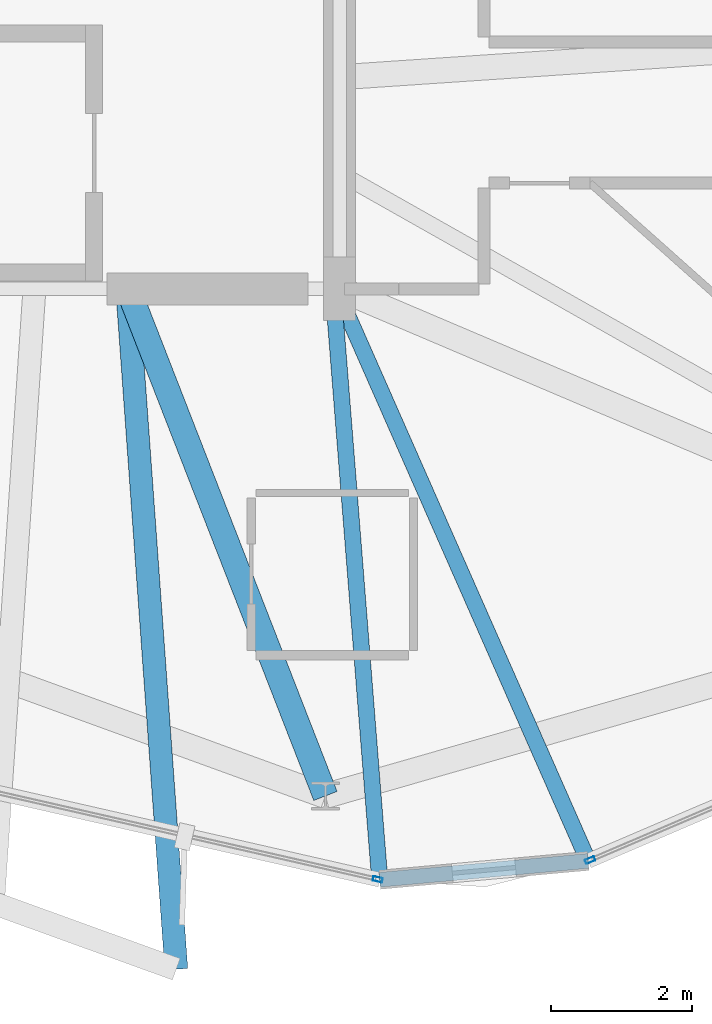
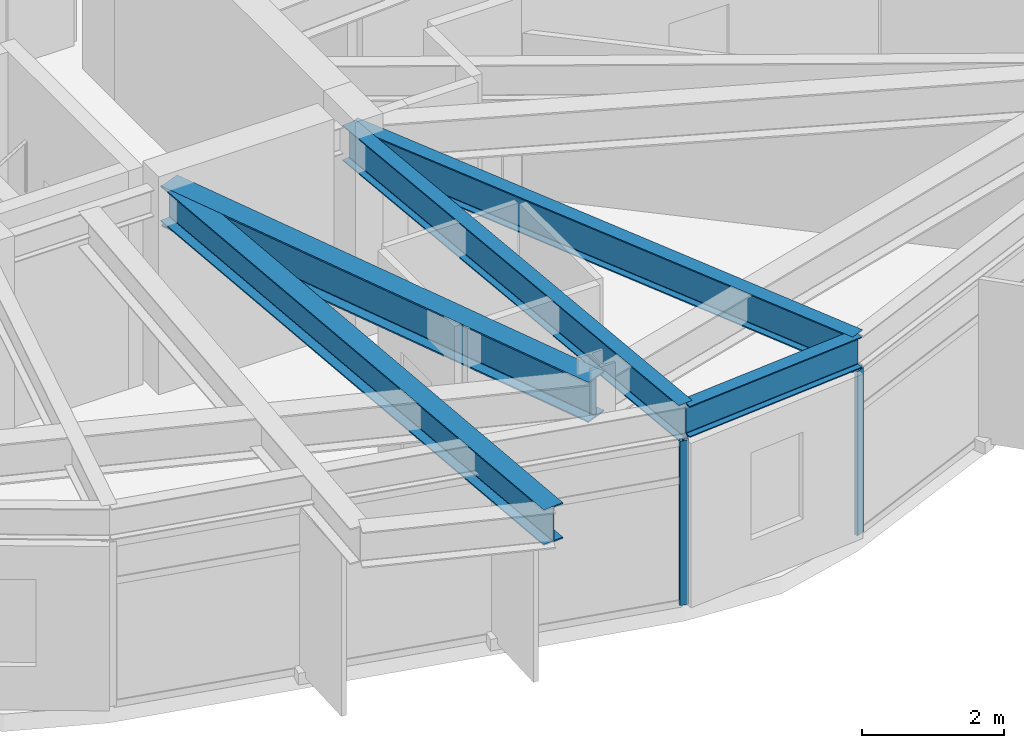
# One storey, part 5 of 23: 5 beams, 2 members, 2 elements without a shape of their own.
"""IFC4 building model written with IfcOpenShell, lengths in metres."""

from ifc_helpers import new_model, si_unit, direction, frame, origin, origin_2d, place, context, subcontext, project, spatial, hollow_rectangle, i_section, extrude, material, layer, layer_set, material_profile, profile_set, type_object, element, aggregate, save


model = new_model("IFC4")

# Units and contexts
model_context = context("Model", 3, precision=1e-05, world=origin(), true_north=direction((0.0, 1.0)))
body_context = subcontext(model_context, "Body", "Model", "MODEL_VIEW")
ifc_project = project(units=[si_unit("LENGTHUNIT", "METRE"), si_unit("AREAUNIT", "SQUARE_METRE"), si_unit("VOLUMEUNIT", "CUBIC_METRE"), si_unit("PLANEANGLEUNIT", "RADIAN"), si_unit("MASSUNIT", "GRAM", prefix="KILO")], contexts=[model_context])

# Site, building, storey
site_placement = place(None, origin())
site = spatial("IfcSite", under=ifc_project, at=site_placement, CompositionType="ELEMENT")
building_placement = place(site_placement, origin())
building = spatial("IfcBuilding", under=site, at=building_placement, Name="Soratama Intermodal Tower", CompositionType="ELEMENT")
storey_placement = place(building_placement, frame((0.0, 0.0, 250.0)))
storey = spatial("IfcBuildingStorey", under=building, at=storey_placement, Name="L63", CompositionType="ELEMENT", Elevation=250.0)

# Beams
ifc_material_1 = material(Name="Structural steel ASTM A992 Grade 50", Category="steel")
ifc_material_profile_1 = material_profile(ifc_material_1, i_section(OverallWidth=0.324951171875, OverallDepth=0.615966796875, WebThickness=0.013916015625, FlangeThickness=0.021484375, FilletRadius=0.013916015625, at=origin_2d()), Name="W24X117")
ifc_profile_set_1 = profile_set([ifc_material_profile_1], Name="Structural steel ASTM A992 Grade 50")
beam_type_1 = type_object("IfcBeamType", Name="BM-CANT-W24X117", PredefinedType="BEAM", material=ifc_profile_set_1)
beam_1_placement = place(storey_placement, frame((41.592041015625, 14.9599609375, 3.14208984375), z_axis=(0.072050571539, -0.997400980118, 0.0), x_axis=(0.997400980118, 0.072050571539, 0.0)))
element("IfcBeam", 1, at=beam_1_placement, inside=storey, type_object=beam_type_1, Name="BM-L63-CANT-3-2", PredefinedType="BEAM", context=body_context, shape_type="SweptSolid", body=[
    extrude(i_section(OverallWidth=0.324951171875, OverallDepth=0.615966796875, WebThickness=0.013916015625, FlangeThickness=0.021484375, FilletRadius=0.013916015625, at=origin_2d()), origin(), (0.0, 0.0, 1.0), 9.630126953125),
])
ifc_material_2 = material(Name="Structural steel ASTM A992 Grade 50", Category="steel")
ifc_material_profile_2 = material_profile(ifc_material_2, i_section(OverallWidth=0.35498046875, OverallDepth=0.695068359375, WebThickness=0.015380859375, FlangeThickness=0.02490234375, FilletRadius=0.01611328125, at=origin_2d()), Name="W27X146")
ifc_profile_set_2 = profile_set([ifc_material_profile_2], Name="Structural steel ASTM A992 Grade 50")
beam_type_2 = type_object("IfcBeamType", Name="BM-RING-W27X146", PredefinedType="BEAM", material=ifc_profile_set_2)
beam_2_placement = place(storey_placement, frame((41.60009765625, 15.0, 3.1025390625), z_axis=(0.362907405592, -0.931825206231, 0.0), x_axis=(0.931825206231, 0.362907405592, 0.0)))
element("IfcBeam", 2, at=beam_2_placement, inside=storey, type_object=beam_type_2, Name="BM-L63-RAD-08", PredefinedType="BEAM", context=body_context, shape_type="SweptSolid", body=[
    extrude(i_section(OverallWidth=0.35498046875, OverallDepth=0.695068359375, WebThickness=0.015380859375, FlangeThickness=0.02490234375, FilletRadius=0.01611328125, at=origin_2d()), origin(), (0.0, 0.0, 1.0), 7.71484375),
])
ifc_material_3 = material(Name="Structural steel ASTM A992 Grade 50", Category="steel")
ifc_material_profile_3 = material_profile(ifc_material_3, i_section(OverallWidth=0.2099609375, OverallDepth=0.537109375, WebThickness=0.010986328125, FlangeThickness=0.017333984375, FilletRadius=0.012939453125, at=origin_2d()), Name="W21X68")
ifc_profile_set_3 = profile_set([ifc_material_profile_3], Name="Structural steel ASTM A992 Grade 50")
beam_type_3 = type_object("IfcBeamType", Name="BM-SPN-W21X68", PredefinedType="SPANDREL", material=ifc_profile_set_3)
beam_3_placement = place(storey_placement, frame((45.169921875, 6.623046875, 3.181396484375), z_axis=(0.995947655363, 0.089934797365, 0.0), x_axis=(-0.089934797365, 0.995947655363, 0.0)))
element("IfcBeam", 3, at=beam_3_placement, inside=storey, type_object=beam_type_3, Name="BS-L63-CRN06", PredefinedType="SPANDREL", context=body_context, shape_type="SweptSolid", body=[
    extrude(i_section(OverallWidth=0.2099609375, OverallDepth=0.537109375, WebThickness=0.010986328125, FlangeThickness=0.017333984375, FilletRadius=0.012939453125, at=origin_2d()), origin(), (0.0, 0.0, 1.0), 2.967041015625),
])
ifc_material_4 = material(Name="Structural steel ASTM A992 Grade 50", Category="steel")
ifc_material_profile_4 = material_profile(ifc_material_4, i_section(OverallWidth=0.22900390625, OverallDepth=0.612060546875, WebThickness=0.011962890625, FlangeThickness=0.01953125, FilletRadius=0.012939453125, at=origin_2d()), Name="W24X84")
ifc_profile_set_4 = profile_set([ifc_material_profile_4], Name="Structural steel ASTM A992 Grade 50")
beam_type_4 = type_object("IfcBeamType", Name="BM-TIE-W24X84", PredefinedType="BEAM", material=ifc_profile_set_4)
beam_4_placement = place(storey_placement, frame((44.510009765625, 14.9599609375, 3.14404296875), z_axis=(0.078908622737, -0.996881853209, 0.0), x_axis=(0.996881853209, 0.078908622737, 0.0)))
element("IfcBeam", 4, at=beam_4_placement, inside=storey, type_object=beam_type_4, Name="BM-L63-TIE1-06", PredefinedType="BEAM", context=body_context, shape_type="SweptSolid", body=[
    extrude(i_section(OverallWidth=0.22900390625, OverallDepth=0.612060546875, WebThickness=0.011962890625, FlangeThickness=0.01953125, FilletRadius=0.012939453125, at=origin_2d()), origin(), (0.0, 0.0, 1.0), 8.363037109375),
])
beam_5_placement = place(storey_placement, frame((44.56591796875, 14.962890625, 3.14404296875), z_axis=(0.403399702328, -0.915023868629, 0.0), x_axis=(0.915023868629, 0.403399702328, 0.0)))
element("IfcBeam", 5, at=beam_5_placement, inside=storey, type_object=beam_type_4, Name="BM-L63-TIE0-07", PredefinedType="BEAM", context=body_context, shape_type="SweptSolid", body=[
    extrude(i_section(OverallWidth=0.22900390625, OverallDepth=0.612060546875, WebThickness=0.011962890625, FlangeThickness=0.01953125, FilletRadius=0.012939453125, at=origin_2d()), origin(), (0.0, 0.0, 1.0), 8.82275390625),
])

# Curtain wall, member
ifc_material_5 = material(Name="Double-glazed aluminium curtain wall", Category="aluminium")
ifc_layer = layer(ifc_material_5, 0.159912109375)
ifc_layer_set = layer_set([ifc_layer], Name="Double-glazed aluminium curtain wall")
curtain_wall_type = type_object("IfcCurtainWallType", Name="CW-SYS-5", PredefinedType="NOTDEFINED", material=ifc_layer_set)
curtain_wall_1_placement = place(storey_placement, origin())
curtain_wall_1 = element("IfcCurtainWall", 6, at=curtain_wall_1_placement, inside=storey, type_object=curtain_wall_type, Name="L63 Faceted Curtain Wall F06", PredefinedType="NOTDEFINED")
ifc_material_6 = material(Name="Anodised aluminium AA 6063-T6", Category="aluminium")
ifc_material_profile_5 = material_profile(ifc_material_6, hollow_rectangle(XDim=0.06494140625, YDim=0.139892578125, WallThickness=0.0048828125, InnerFilletRadius=0.0048828125, OuterFilletRadius=0.010009765625, at=origin_2d()), Name="CWM140X65X5")
ifc_profile_set_5 = profile_set([ifc_material_profile_5], Name="Anodised aluminium AA 6063-T6")
member_type = type_object("IfcMemberType", Name="MT-CWM-5", PredefinedType="MULLION", material=ifc_profile_set_5)
member_1_placement = place(storey_placement, frame((45.140869140625, 6.62939453125, 0.0), z_axis=(0.0, 0.0, 1.0), x_axis=(0.222227705641, 0.97499479324, 0.0)))
member_1 = element("IfcMember", 7, at=member_1_placement, type_object=member_type, Name="CW-5 mullion 2", PredefinedType="MULLION", context=body_context, shape_type="SweptSolid", body=[
    extrude(hollow_rectangle(XDim=0.06494140625, YDim=0.139892578125, WallThickness=0.0048828125, InnerFilletRadius=0.0048828125, OuterFilletRadius=0.010009765625, at=origin_2d()), origin(), (0.0, 0.0, 1.0), 2.8291015625),
])
aggregate(curtain_wall_1, [member_1])

curtain_wall_2_placement = place(storey_placement, origin())
curtain_wall_2 = element("IfcCurtainWall", 8, at=curtain_wall_2_placement, inside=storey, type_object=curtain_wall_type, Name="L63 Faceted Curtain Wall F07", PredefinedType="NOTDEFINED")
member_2_placement = place(storey_placement, frame((48.15234375, 6.9013671875, 0.0), z_axis=(0.0, 0.0, 1.0), x_axis=(-0.393298714752, 0.919410746606, 0.0)))
member_2 = element("IfcMember", 9, at=member_2_placement, type_object=member_type, Name="CW-5 mullion 1", PredefinedType="MULLION", context=body_context, shape_type="SweptSolid", body=[
    extrude(hollow_rectangle(XDim=0.06494140625, YDim=0.139892578125, WallThickness=0.0048828125, InnerFilletRadius=0.0048828125, OuterFilletRadius=0.010009765625, at=origin_2d()), origin(), (0.0, 0.0, 1.0), 2.8291015625),
])
aggregate(curtain_wall_2, [member_2])

save(model, "model.ifc")
